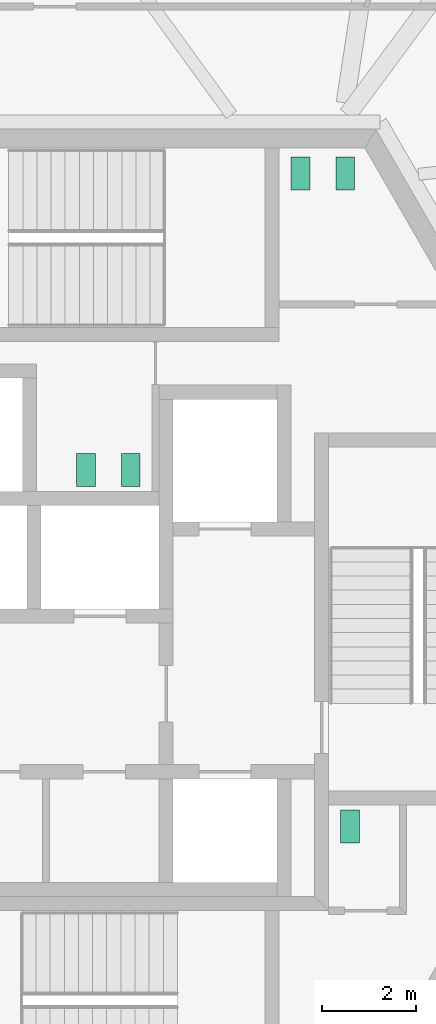
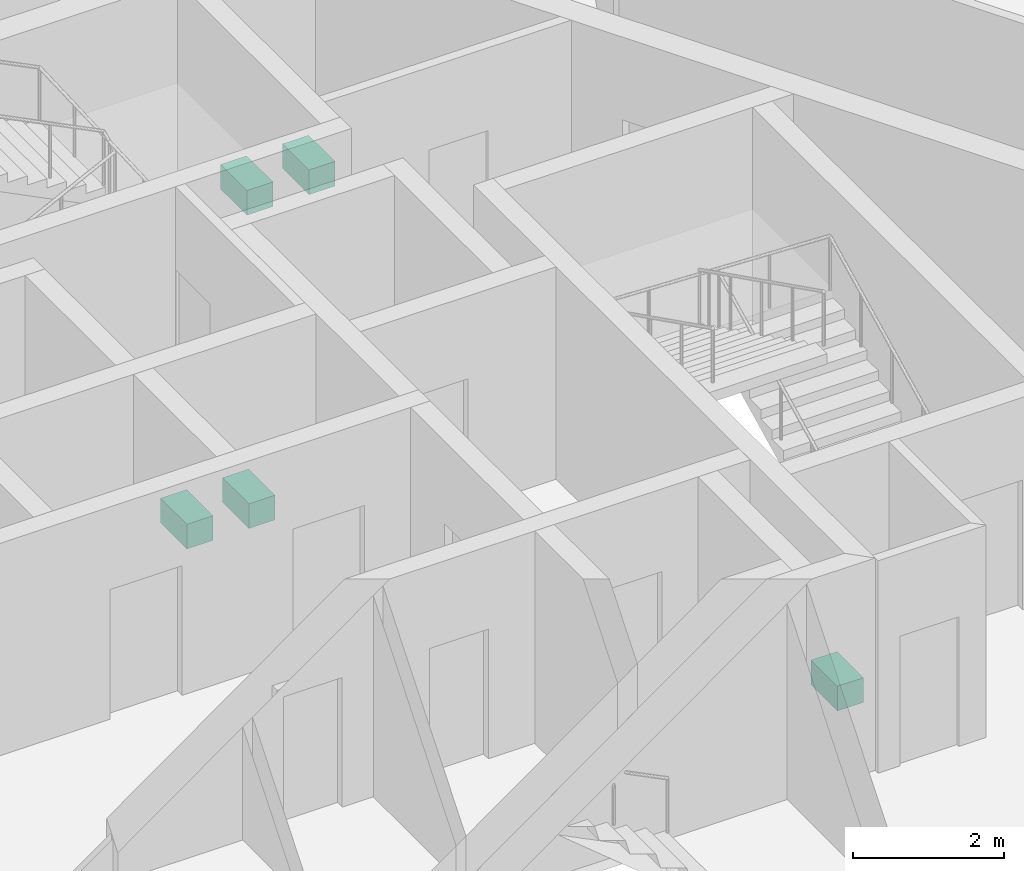
# One storey, part 16 of 18: 5 sanitary terminals.
"""IFC4 building model written with IfcOpenShell, lengths in metres."""

from ifc_helpers import new_model, si_unit, direction, frame, origin, origin_2d, place, context, subcontext, project, spatial, rectangle, extrude, source, transform, mapped, material, element, save


model = new_model("IFC4")

# Units and contexts
model_context = context("Model", 3, precision=1e-05, world=origin(), true_north=direction((0.0, 1.0)))
body_context = subcontext(model_context, "Body", "Model", "MODEL_VIEW")
ifc_project = project(units=[si_unit("LENGTHUNIT", "METRE"), si_unit("AREAUNIT", "SQUARE_METRE"), si_unit("VOLUMEUNIT", "CUBIC_METRE"), si_unit("PLANEANGLEUNIT", "RADIAN"), si_unit("MASSUNIT", "GRAM", prefix="KILO")], contexts=[model_context])

# Site, building, storey
site_placement = place(None, origin())
site = spatial("IfcSite", under=ifc_project, at=site_placement, CompositionType="ELEMENT")
building_placement = place(site_placement, origin())
building = spatial("IfcBuilding", under=site, at=building_placement, Name="Triune Harvest Tower", CompositionType="ELEMENT")
storey_placement = place(building_placement, frame((0.0, 0.0, 83.699951171875)))
storey = spatial("IfcBuildingStorey", under=building, at=storey_placement, Name="L20", CompositionType="ELEMENT", Elevation=83.699951171875)

# Sanitary terminals
ifc_material = material(Name="Vitreous china")
shared_shape = source(origin(), body_context, "Body", "SweptSolid", [
    extrude(rectangle(XDim=0.39990234375, YDim=0.699951171875, at=origin_2d()), origin(), (0.0, 0.0, 1.0), 0.39990234375),
])
for number, where, z_axis, x_axis, name in (
    (1, (4.39990234375, 9.449951171875, 0.0), (0.0, 0.0, 1.0), (1.0, 0.0, 0.0), "Toilet pan L20.c01"),
    (2, (5.35009765625, 9.449951171875, 0.0), (0.0, 0.0, 1.0), (1.0, 0.0, 0.0), "Toilet pan L20.c02"),
    (3, (0.800048828125, 3.159912109375, 0.0), (0.0, 0.0, 1.0), (-1.0, 0.0, 0.0), "Toilet pan L20.c03"),
    (4, (-0.14990234375, 3.159912109375, 0.0), (0.0, 0.0, 1.0), (-1.0, 0.0, 0.0), "Toilet pan L20.c04"),
    (5, (5.449951171875, -4.39990234375, 0.0), (0.0, 0.0, 1.0), (1.0, 0.0, 0.0), "Toilet pan L20.c05"),
):
    element("IfcSanitaryTerminal", number, at=place(storey_placement, frame(where, z_axis=z_axis, x_axis=x_axis)), inside=storey, material=ifc_material, Name=name, PredefinedType="TOILETPAN", context=body_context, shape_type="MappedRepresentation", body=[
        mapped(shared_shape, transform((0.0, 0.0, 0.0), scale=1.0)),
    ])

save(model, "model.ifc")
